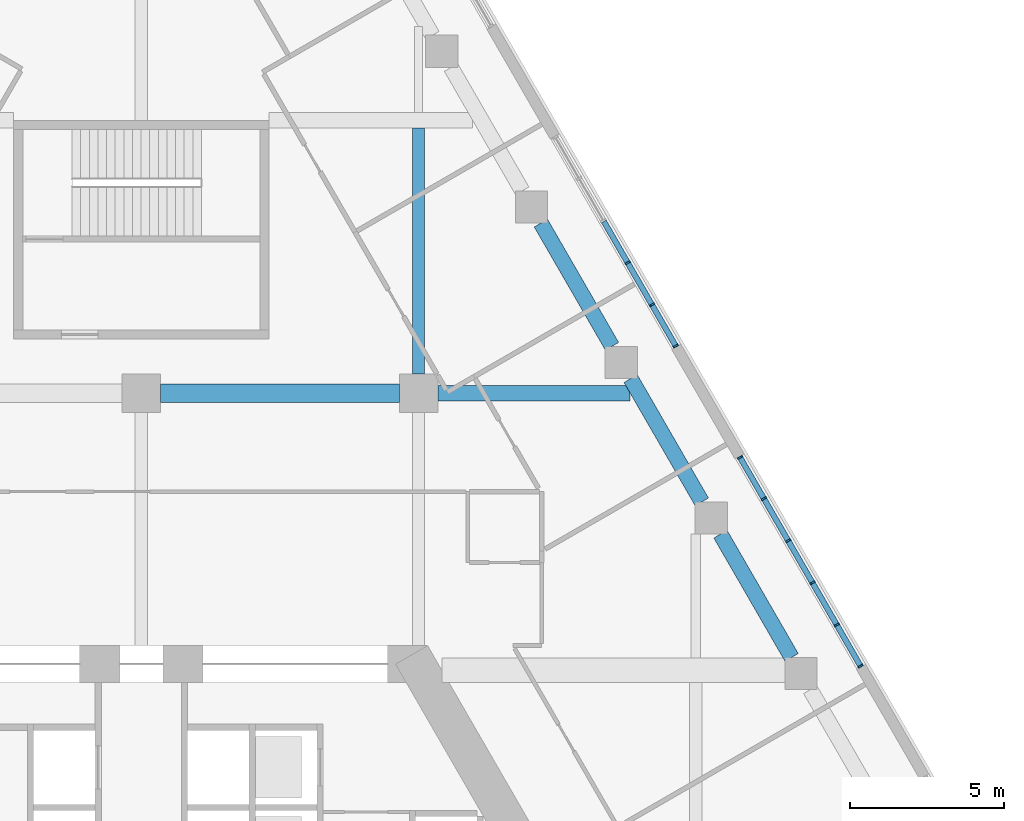
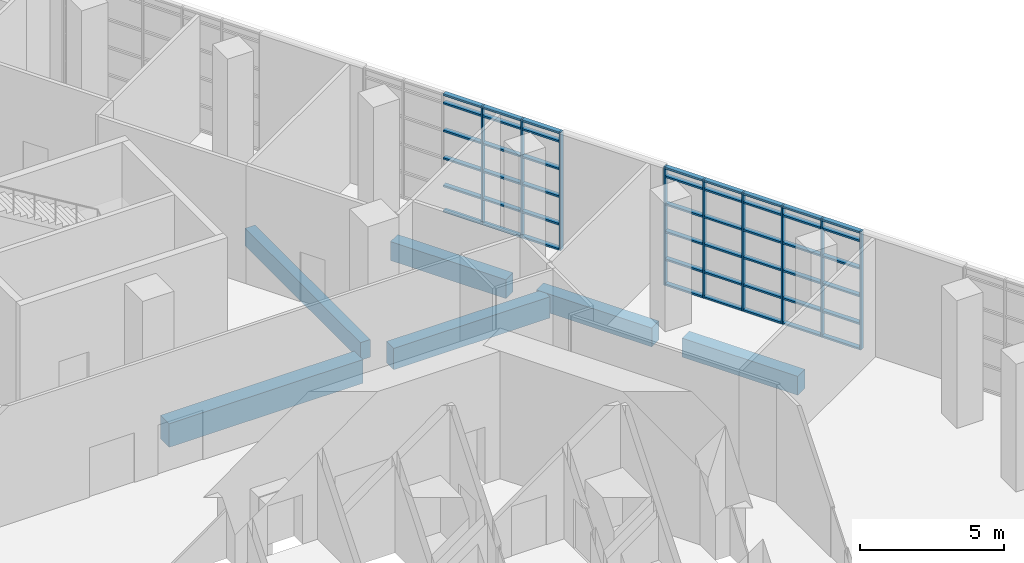
# One storey, part 5 of 18: 57 members, 6 beams, 2 elements without a shape of their own.
"""IFC4 building model written with IfcOpenShell, lengths in metres."""

from ifc_helpers import new_model, si_unit, direction, frame, origin, origin_2d, place, context, subcontext, project, spatial, rectangle, extrude, material, material_profile, profile_set, type_object, element, aggregate, save


model = new_model("IFC4")

# Units and contexts
model_context = context("Model", 3, precision=1e-05, world=origin(), true_north=direction((0.0, 1.0)))
body_context = subcontext(model_context, "Body", "Model", "MODEL_VIEW")
ifc_project = project(units=[si_unit("LENGTHUNIT", "METRE"), si_unit("AREAUNIT", "SQUARE_METRE"), si_unit("VOLUMEUNIT", "CUBIC_METRE"), si_unit("PLANEANGLEUNIT", "RADIAN"), si_unit("MASSUNIT", "GRAM", prefix="KILO")], contexts=[model_context])

# Site, building, storey
site_placement = place(None, origin())
site = spatial("IfcSite", under=ifc_project, at=site_placement, CompositionType="ELEMENT")
building_placement = place(site_placement, origin())
building = spatial("IfcBuilding", under=site, at=building_placement, Name="Fogline Exchange Tower", CompositionType="ELEMENT")
storey_placement = place(building_placement, frame((0.0, 0.0, 137.5)))
storey = spatial("IfcBuildingStorey", under=building, at=storey_placement, Name="L30", CompositionType="ELEMENT", Elevation=137.5)

# Beams
ifc_material_1 = material(Name="Concrete C40", Category="concrete")
ifc_material_profile_1 = material_profile(ifc_material_1, rectangle(XDim=0.5, YDim=0.89990234375, at=origin_2d()), Name="RC 500x900")
ifc_profile_set_1 = profile_set([ifc_material_profile_1], Name="Concrete C40")
beam_type_1 = type_object("IfcBeamType", Name="B02", PredefinedType="BEAM", material=ifc_profile_set_1)
beam_1_placement = place(storey_placement, frame((9.625, 27.0, -0.85009765625), z_axis=(1.0, 0.0, 0.0), x_axis=(0.0, 1.0, 0.0)))
element("IfcBeam", 1, at=beam_1_placement, inside=storey, type_object=beam_type_1, Name="GB008", PredefinedType="BEAM", context=body_context, shape_type="SweptSolid", body=[
    extrude(rectangle(XDim=0.5, YDim=0.89990234375, at=origin_2d()), origin(), (0.0, 0.0, 1.0), 6.246826171875),
])
ifc_material_profile_2 = material_profile(ifc_material_1, rectangle(XDim=0.60009765625, YDim=1.0, at=origin_2d()), Name="RC 600x1000")
ifc_profile_set_2 = profile_set([ifc_material_profile_2], Name="Concrete C40")
beam_type_2 = type_object("IfcBeamType", Name="B03", PredefinedType="BEAM", material=ifc_profile_set_2)
beam_2_placement = place(storey_placement, frame((0.625, 27.0, -0.89990234375), z_axis=(1.0, 0.0, 0.0), x_axis=(0.0, 1.0, 0.0)))
element("IfcBeam", 2, at=beam_2_placement, inside=storey, type_object=beam_type_2, Name="GB007", PredefinedType="BEAM", context=body_context, shape_type="SweptSolid", body=[
    extrude(rectangle(XDim=0.60009765625, YDim=1.0, at=origin_2d()), origin(), (0.0, 0.0, 1.0), 7.75),
])
ifc_material_profile_3 = material_profile(ifc_material_1, rectangle(XDim=0.39990234375, YDim=0.75, at=origin_2d()), Name="RC 400x750")
ifc_profile_set_3 = profile_set([ifc_material_profile_3], Name="Concrete C40")
beam_type_3 = type_object("IfcBeamType", Name="B05", PredefinedType="BEAM", material=ifc_profile_set_3)
beam_3_placement = place(storey_placement, frame((9.0, 27.625, -0.77490234375), z_axis=(0.0, 1.0, 0.0), x_axis=(-1.0, 0.0, 0.0)))
element("IfcBeam", 3, at=beam_3_placement, inside=storey, type_object=beam_type_3, Name="SB010", PredefinedType="BEAM", context=body_context, shape_type="SweptSolid", body=[
    extrude(rectangle(XDim=0.39990234375, YDim=0.75, at=origin_2d()), origin(), (0.0, 0.0, 1.0), 7.98193359375),
])
ifc_material_profile_4 = material_profile(ifc_material_1, rectangle(XDim=0.5, YDim=0.800048828125, at=origin_2d()), Name="RC 500x800")
ifc_profile_set_4 = profile_set([ifc_material_profile_4], Name="Concrete C40")
beam_type_4 = type_object("IfcBeamType", Name="B10", PredefinedType="BEAM", material=ifc_profile_set_4)
for number, where, z_axis, x_axis, name in (
    (4, (21.1142578125, 18.419921875, -0.800048828125), (-0.500004591975, 0.86602275259, 0.0), (-0.86602275259, -0.500004591975, 0.0), "RB011"),
    (5, (18.198486328125, 23.47021484375, -0.800048828125), (-0.500004591975, 0.86602275259, 0.0), (-0.86602275259, -0.500004591975, 0.0), "RB012"),
    (6, (15.28271484375, 28.5205078125, -0.800048828125), (-0.500004591975, 0.86602275259, 0.0), (-0.86602275259, -0.500004591975, 0.0), "RB013"),
):
    element("IfcBeam", number, at=place(storey_placement, frame(where, z_axis=z_axis, x_axis=x_axis)), inside=storey, type_object=beam_type_4, Name=name, PredefinedType="BEAM", context=body_context, shape_type="SweptSolid", body=[
        extrude(rectangle(XDim=0.5, YDim=0.800048828125, at=origin_2d()), origin(), (0.0, 0.0, 1.0), 4.619140625),
    ])

# Curtain wall, members
ifc_material_2 = material(Name="Aluminium and glass", Category="aluminium")
curtain_wall_type = type_object("IfcCurtainWallType", Name="CW4", PredefinedType="NOTDEFINED", material=ifc_material_2)
curtain_wall_1_placement = place(storey_placement, origin())
curtain_wall_1 = element("IfcCurtainWall", 7, at=curtain_wall_1_placement, inside=storey, type_object=curtain_wall_type, Name="CW4 L30 E run 2", PredefinedType="NOTDEFINED")
ifc_material_3 = material(Name="Aluminium", Category="aluminium")
ifc_material_profile_5 = material_profile(ifc_material_3, rectangle(XDim=0.179931640625, YDim=0.06005859375, at=origin_2d()), Name="Mullion 60x180")
ifc_profile_set_5 = profile_set([ifc_material_profile_5], Name="Aluminium")
member_type_1 = type_object("IfcMemberType", Name="CW4-M", PredefinedType="MULLION", material=ifc_profile_set_5)
member_1_placement = place(storey_placement, frame((23.353515625, 18.136474609375, 0.0), z_axis=(0.0, 0.0, 1.0), x_axis=(-0.866025393993, -0.500000016959, 0.0)))
member_1 = element("IfcMember", 8, at=member_1_placement, type_object=member_type_1, Name="CW4-T09-05 mullion 1", PredefinedType="MULLION", context=body_context, shape_type="SweptSolid", body=[
    extrude(rectangle(XDim=0.179931640625, YDim=0.06005859375, at=origin_2d()), origin(), (0.0, 0.0, 1.0), 5.0),
])
member_2_placement = place(storey_placement, frame((22.579833984375, 19.476318359375, 0.0), z_axis=(0.0, 0.0, 1.0), x_axis=(-0.866025393993, -0.500000016959, 0.0)))
member_2 = element("IfcMember", 9, at=member_2_placement, type_object=member_type_1, Name="CW4-T09-05 mullion 2", PredefinedType="MULLION", context=body_context, shape_type="SweptSolid", body=[
    extrude(rectangle(XDim=0.179931640625, YDim=0.06005859375, at=origin_2d()), origin(), (0.0, 0.0, 1.0), 5.0),
])
member_3_placement = place(storey_placement, frame((21.79150390625, 20.842041015625, 0.0), z_axis=(0.0, 0.0, 1.0), x_axis=(-0.866025393993, -0.500000016959, 0.0)))
member_3 = element("IfcMember", 10, at=member_3_placement, type_object=member_type_1, Name="CW4-T09-05 mullion 3", PredefinedType="MULLION", context=body_context, shape_type="SweptSolid", body=[
    extrude(rectangle(XDim=0.179931640625, YDim=0.06005859375, at=origin_2d()), origin(), (0.0, 0.0, 1.0), 5.0),
])
member_4_placement = place(storey_placement, frame((21.0029296875, 22.207763671875, 0.0), z_axis=(0.0, 0.0, 1.0), x_axis=(-0.866025393993, -0.500000016959, 0.0)))
member_4 = element("IfcMember", 11, at=member_4_placement, type_object=member_type_1, Name="CW4-T09-05 mullion 4", PredefinedType="MULLION", context=body_context, shape_type="SweptSolid", body=[
    extrude(rectangle(XDim=0.179931640625, YDim=0.06005859375, at=origin_2d()), origin(), (0.0, 0.0, 1.0), 5.0),
])
member_5_placement = place(storey_placement, frame((20.21435546875, 23.573486328125, 0.0), z_axis=(0.0, 0.0, 1.0), x_axis=(-0.866025393993, -0.500000016959, 0.0)))
member_5 = element("IfcMember", 12, at=member_5_placement, type_object=member_type_1, Name="CW4-T09-05 mullion 5", PredefinedType="MULLION", context=body_context, shape_type="SweptSolid", body=[
    extrude(rectangle(XDim=0.179931640625, YDim=0.06005859375, at=origin_2d()), origin(), (0.0, 0.0, 1.0), 5.0),
])
member_6_placement = place(storey_placement, frame((19.44091796875, 24.9130859375, 0.0), z_axis=(0.0, 0.0, 1.0), x_axis=(-0.866025393993, -0.500000016959, 0.0)))
member_6 = element("IfcMember", 13, at=member_6_placement, type_object=member_type_1, Name="CW4-T09-05 mullion 6", PredefinedType="MULLION", context=body_context, shape_type="SweptSolid", body=[
    extrude(rectangle(XDim=0.179931640625, YDim=0.06005859375, at=origin_2d()), origin(), (0.0, 0.0, 1.0), 5.0),
])

curtain_wall_2_placement = place(storey_placement, origin())
curtain_wall_2 = element("IfcCurtainWall", 14, at=curtain_wall_2_placement, inside=storey, type_object=curtain_wall_type, Name="CW4 L30 E run 3", PredefinedType="NOTDEFINED")
member_7_placement = place(storey_placement, frame((17.353515625, 28.52880859375, 0.0), z_axis=(0.0, 0.0, 1.0), x_axis=(-0.866025393993, -0.500000016959, 0.0)))
member_7 = element("IfcMember", 15, at=member_7_placement, type_object=member_type_1, Name="CW4-T09-06 mullion 1", PredefinedType="MULLION", context=body_context, shape_type="SweptSolid", body=[
    extrude(rectangle(XDim=0.179931640625, YDim=0.06005859375, at=origin_2d()), origin(), (0.0, 0.0, 1.0), 5.0),
])
member_8_placement = place(storey_placement, frame((16.579833984375, 29.86865234375, 0.0), z_axis=(0.0, 0.0, 1.0), x_axis=(-0.866025393993, -0.500000016959, 0.0)))
member_8 = element("IfcMember", 16, at=member_8_placement, type_object=member_type_1, Name="CW4-T09-06 mullion 2", PredefinedType="MULLION", context=body_context, shape_type="SweptSolid", body=[
    extrude(rectangle(XDim=0.179931640625, YDim=0.06005859375, at=origin_2d()), origin(), (0.0, 0.0, 1.0), 5.0),
])
member_9_placement = place(storey_placement, frame((15.79150390625, 31.234375, 0.0), z_axis=(0.0, 0.0, 1.0), x_axis=(-0.866025393993, -0.500000016959, 0.0)))
member_9 = element("IfcMember", 17, at=member_9_placement, type_object=member_type_1, Name="CW4-T09-06 mullion 3", PredefinedType="MULLION", context=body_context, shape_type="SweptSolid", body=[
    extrude(rectangle(XDim=0.179931640625, YDim=0.06005859375, at=origin_2d()), origin(), (0.0, 0.0, 1.0), 5.0),
])

# Member
ifc_material_profile_6 = material_profile(ifc_material_3, rectangle(XDim=0.179931640625, YDim=0.074951171875, at=origin_2d()), Name="Transom 75x180")
ifc_profile_set_6 = profile_set([ifc_material_profile_6], Name="Aluminium")
member_type_2 = type_object("IfcMemberType", Name="CW4-T", PredefinedType="USERDEFINED", material=ifc_profile_set_6)
member_10_placement = place(storey_placement, frame((23.33837890625, 18.16259765625, 0.03759765625), z_axis=(-0.500006734102, 0.866021515814, 0.0), x_axis=(-0.866021515814, -0.500006734102, 0.0)))
member_10 = element("IfcMember", 18, at=member_10_placement, type_object=member_type_2, Name="CW4-T09-05 transom 1.1", ObjectType="TRANSOM", PredefinedType="USERDEFINED", context=body_context, shape_type="SweptSolid", body=[
    extrude(rectangle(XDim=0.179931640625, YDim=0.074951171875, at=origin_2d()), origin(), (0.0, 0.0, 1.0), 1.48681640625),
])

member_11_placement = place(storey_placement, frame((23.33837890625, 18.16259765625, 1.10009765625), z_axis=(-0.500006734102, 0.866021515814, 0.0), x_axis=(-0.866021515814, -0.500006734102, 0.0)))
member_11 = element("IfcMember", 19, at=member_11_placement, type_object=member_type_2, Name="CW4-T09-05 transom 1.2", ObjectType="TRANSOM", PredefinedType="USERDEFINED", context=body_context, shape_type="SweptSolid", body=[
    extrude(rectangle(XDim=0.179931640625, YDim=0.074951171875, at=origin_2d()), origin(), (0.0, 0.0, 1.0), 1.48681640625),
])

member_12_placement = place(storey_placement, frame((23.33837890625, 18.16259765625, 2.2666015625), z_axis=(-0.500006734102, 0.866021515814, 0.0), x_axis=(-0.866021515814, -0.500006734102, 0.0)))
member_12 = element("IfcMember", 20, at=member_12_placement, type_object=member_type_2, Name="CW4-T09-05 transom 1.3", ObjectType="TRANSOM", PredefinedType="USERDEFINED", context=body_context, shape_type="SweptSolid", body=[
    extrude(rectangle(XDim=0.179931640625, YDim=0.074951171875, at=origin_2d()), origin(), (0.0, 0.0, 1.0), 1.48681640625),
])

member_13_placement = place(storey_placement, frame((23.33837890625, 18.16259765625, 3.433349609375), z_axis=(-0.500006734102, 0.866021515814, 0.0), x_axis=(-0.866021515814, -0.500006734102, 0.0)))
member_13 = element("IfcMember", 21, at=member_13_placement, type_object=member_type_2, Name="CW4-T09-05 transom 1.4", ObjectType="TRANSOM", PredefinedType="USERDEFINED", context=body_context, shape_type="SweptSolid", body=[
    extrude(rectangle(XDim=0.179931640625, YDim=0.074951171875, at=origin_2d()), origin(), (0.0, 0.0, 1.0), 1.48681640625),
])

member_14_placement = place(storey_placement, frame((23.33837890625, 18.16259765625, 4.60009765625), z_axis=(-0.500006734102, 0.866021515814, 0.0), x_axis=(-0.866021515814, -0.500006734102, 0.0)))
member_14 = element("IfcMember", 22, at=member_14_placement, type_object=member_type_2, Name="CW4-T09-05 transom 1.5", ObjectType="TRANSOM", PredefinedType="USERDEFINED", context=body_context, shape_type="SweptSolid", body=[
    extrude(rectangle(XDim=0.179931640625, YDim=0.074951171875, at=origin_2d()), origin(), (0.0, 0.0, 1.0), 1.48681640625),
])

member_15_placement = place(storey_placement, frame((23.33837890625, 18.16259765625, 4.96240234375), z_axis=(-0.500006734102, 0.866021515814, 0.0), x_axis=(-0.866021515814, -0.500006734102, 0.0)))
member_15 = element("IfcMember", 23, at=member_15_placement, type_object=member_type_2, Name="CW4-T09-05 transom 1.6", ObjectType="TRANSOM", PredefinedType="USERDEFINED", context=body_context, shape_type="SweptSolid", body=[
    extrude(rectangle(XDim=0.179931640625, YDim=0.074951171875, at=origin_2d()), origin(), (0.0, 0.0, 1.0), 1.48681640625),
])

member_16_placement = place(storey_placement, frame((22.56494140625, 19.502197265625, 0.03759765625), z_axis=(-0.500033579465, 0.866006015803, 0.0), x_axis=(-0.866006015803, -0.500033579465, 0.0)))
member_16 = element("IfcMember", 24, at=member_16_placement, type_object=member_type_2, Name="CW4-T09-05 transom 2.1", ObjectType="TRANSOM", PredefinedType="USERDEFINED", context=body_context, shape_type="SweptSolid", body=[
    extrude(rectangle(XDim=0.179931640625, YDim=0.074951171875, at=origin_2d()), origin(), (0.0, 0.0, 1.0), 1.51708984375),
])

member_17_placement = place(storey_placement, frame((22.56494140625, 19.502197265625, 1.10009765625), z_axis=(-0.500033579465, 0.866006015803, 0.0), x_axis=(-0.866006015803, -0.500033579465, 0.0)))
member_17 = element("IfcMember", 25, at=member_17_placement, type_object=member_type_2, Name="CW4-T09-05 transom 2.2", ObjectType="TRANSOM", PredefinedType="USERDEFINED", context=body_context, shape_type="SweptSolid", body=[
    extrude(rectangle(XDim=0.179931640625, YDim=0.074951171875, at=origin_2d()), origin(), (0.0, 0.0, 1.0), 1.51708984375),
])

member_18_placement = place(storey_placement, frame((22.56494140625, 19.502197265625, 2.2666015625), z_axis=(-0.500033579465, 0.866006015803, 0.0), x_axis=(-0.866006015803, -0.500033579465, 0.0)))
member_18 = element("IfcMember", 26, at=member_18_placement, type_object=member_type_2, Name="CW4-T09-05 transom 2.3", ObjectType="TRANSOM", PredefinedType="USERDEFINED", context=body_context, shape_type="SweptSolid", body=[
    extrude(rectangle(XDim=0.179931640625, YDim=0.074951171875, at=origin_2d()), origin(), (0.0, 0.0, 1.0), 1.51708984375),
])

member_19_placement = place(storey_placement, frame((22.56494140625, 19.502197265625, 3.433349609375), z_axis=(-0.500033579465, 0.866006015803, 0.0), x_axis=(-0.866006015803, -0.500033579465, 0.0)))
member_19 = element("IfcMember", 27, at=member_19_placement, type_object=member_type_2, Name="CW4-T09-05 transom 2.4", ObjectType="TRANSOM", PredefinedType="USERDEFINED", context=body_context, shape_type="SweptSolid", body=[
    extrude(rectangle(XDim=0.179931640625, YDim=0.074951171875, at=origin_2d()), origin(), (0.0, 0.0, 1.0), 1.51708984375),
])

member_20_placement = place(storey_placement, frame((22.56494140625, 19.502197265625, 4.60009765625), z_axis=(-0.500033579465, 0.866006015803, 0.0), x_axis=(-0.866006015803, -0.500033579465, 0.0)))
member_20 = element("IfcMember", 28, at=member_20_placement, type_object=member_type_2, Name="CW4-T09-05 transom 2.5", ObjectType="TRANSOM", PredefinedType="USERDEFINED", context=body_context, shape_type="SweptSolid", body=[
    extrude(rectangle(XDim=0.179931640625, YDim=0.074951171875, at=origin_2d()), origin(), (0.0, 0.0, 1.0), 1.51708984375),
])

member_21_placement = place(storey_placement, frame((22.56494140625, 19.502197265625, 4.96240234375), z_axis=(-0.500033579465, 0.866006015803, 0.0), x_axis=(-0.866006015803, -0.500033579465, 0.0)))
member_21 = element("IfcMember", 29, at=member_21_placement, type_object=member_type_2, Name="CW4-T09-05 transom 2.6", ObjectType="TRANSOM", PredefinedType="USERDEFINED", context=body_context, shape_type="SweptSolid", body=[
    extrude(rectangle(XDim=0.179931640625, YDim=0.074951171875, at=origin_2d()), origin(), (0.0, 0.0, 1.0), 1.51708984375),
])

member_22_placement = place(storey_placement, frame((21.7763671875, 20.867919921875, 0.03759765625), z_axis=(-0.500033579465, 0.866006015803, 0.0), x_axis=(-0.866006015803, -0.500033579465, 0.0)))
member_22 = element("IfcMember", 30, at=member_22_placement, type_object=member_type_2, Name="CW4-T09-05 transom 3.1", ObjectType="TRANSOM", PredefinedType="USERDEFINED", context=body_context, shape_type="SweptSolid", body=[
    extrude(rectangle(XDim=0.179931640625, YDim=0.074951171875, at=origin_2d()), origin(), (0.0, 0.0, 1.0), 1.51708984375),
])

member_23_placement = place(storey_placement, frame((21.7763671875, 20.867919921875, 1.10009765625), z_axis=(-0.500033579465, 0.866006015803, 0.0), x_axis=(-0.866006015803, -0.500033579465, 0.0)))
member_23 = element("IfcMember", 31, at=member_23_placement, type_object=member_type_2, Name="CW4-T09-05 transom 3.2", ObjectType="TRANSOM", PredefinedType="USERDEFINED", context=body_context, shape_type="SweptSolid", body=[
    extrude(rectangle(XDim=0.179931640625, YDim=0.074951171875, at=origin_2d()), origin(), (0.0, 0.0, 1.0), 1.51708984375),
])

member_24_placement = place(storey_placement, frame((21.7763671875, 20.867919921875, 2.2666015625), z_axis=(-0.500033579465, 0.866006015803, 0.0), x_axis=(-0.866006015803, -0.500033579465, 0.0)))
member_24 = element("IfcMember", 32, at=member_24_placement, type_object=member_type_2, Name="CW4-T09-05 transom 3.3", ObjectType="TRANSOM", PredefinedType="USERDEFINED", context=body_context, shape_type="SweptSolid", body=[
    extrude(rectangle(XDim=0.179931640625, YDim=0.074951171875, at=origin_2d()), origin(), (0.0, 0.0, 1.0), 1.51708984375),
])

member_25_placement = place(storey_placement, frame((21.7763671875, 20.867919921875, 3.433349609375), z_axis=(-0.500033579465, 0.866006015803, 0.0), x_axis=(-0.866006015803, -0.500033579465, 0.0)))
member_25 = element("IfcMember", 33, at=member_25_placement, type_object=member_type_2, Name="CW4-T09-05 transom 3.4", ObjectType="TRANSOM", PredefinedType="USERDEFINED", context=body_context, shape_type="SweptSolid", body=[
    extrude(rectangle(XDim=0.179931640625, YDim=0.074951171875, at=origin_2d()), origin(), (0.0, 0.0, 1.0), 1.51708984375),
])

member_26_placement = place(storey_placement, frame((21.7763671875, 20.867919921875, 4.60009765625), z_axis=(-0.500033579465, 0.866006015803, 0.0), x_axis=(-0.866006015803, -0.500033579465, 0.0)))
member_26 = element("IfcMember", 34, at=member_26_placement, type_object=member_type_2, Name="CW4-T09-05 transom 3.5", ObjectType="TRANSOM", PredefinedType="USERDEFINED", context=body_context, shape_type="SweptSolid", body=[
    extrude(rectangle(XDim=0.179931640625, YDim=0.074951171875, at=origin_2d()), origin(), (0.0, 0.0, 1.0), 1.51708984375),
])

member_27_placement = place(storey_placement, frame((21.7763671875, 20.867919921875, 4.96240234375), z_axis=(-0.500033579465, 0.866006015803, 0.0), x_axis=(-0.866006015803, -0.500033579465, 0.0)))
member_27 = element("IfcMember", 35, at=member_27_placement, type_object=member_type_2, Name="CW4-T09-05 transom 3.6", ObjectType="TRANSOM", PredefinedType="USERDEFINED", context=body_context, shape_type="SweptSolid", body=[
    extrude(rectangle(XDim=0.179931640625, YDim=0.074951171875, at=origin_2d()), origin(), (0.0, 0.0, 1.0), 1.51708984375),
])

member_28_placement = place(storey_placement, frame((20.988037109375, 22.233642578125, 0.03759765625), z_axis=(-0.500033579465, 0.866006015803, 0.0), x_axis=(-0.866006015803, -0.500033579465, 0.0)))
member_28 = element("IfcMember", 36, at=member_28_placement, type_object=member_type_2, Name="CW4-T09-05 transom 4.1", ObjectType="TRANSOM", PredefinedType="USERDEFINED", context=body_context, shape_type="SweptSolid", body=[
    extrude(rectangle(XDim=0.179931640625, YDim=0.074951171875, at=origin_2d()), origin(), (0.0, 0.0, 1.0), 1.51708984375),
])

member_29_placement = place(storey_placement, frame((20.988037109375, 22.233642578125, 1.10009765625), z_axis=(-0.500033579465, 0.866006015803, 0.0), x_axis=(-0.866006015803, -0.500033579465, 0.0)))
member_29 = element("IfcMember", 37, at=member_29_placement, type_object=member_type_2, Name="CW4-T09-05 transom 4.2", ObjectType="TRANSOM", PredefinedType="USERDEFINED", context=body_context, shape_type="SweptSolid", body=[
    extrude(rectangle(XDim=0.179931640625, YDim=0.074951171875, at=origin_2d()), origin(), (0.0, 0.0, 1.0), 1.51708984375),
])

member_30_placement = place(storey_placement, frame((20.988037109375, 22.233642578125, 2.2666015625), z_axis=(-0.500033579465, 0.866006015803, 0.0), x_axis=(-0.866006015803, -0.500033579465, 0.0)))
member_30 = element("IfcMember", 38, at=member_30_placement, type_object=member_type_2, Name="CW4-T09-05 transom 4.3", ObjectType="TRANSOM", PredefinedType="USERDEFINED", context=body_context, shape_type="SweptSolid", body=[
    extrude(rectangle(XDim=0.179931640625, YDim=0.074951171875, at=origin_2d()), origin(), (0.0, 0.0, 1.0), 1.51708984375),
])

member_31_placement = place(storey_placement, frame((20.988037109375, 22.233642578125, 3.433349609375), z_axis=(-0.500033579465, 0.866006015803, 0.0), x_axis=(-0.866006015803, -0.500033579465, 0.0)))
member_31 = element("IfcMember", 39, at=member_31_placement, type_object=member_type_2, Name="CW4-T09-05 transom 4.4", ObjectType="TRANSOM", PredefinedType="USERDEFINED", context=body_context, shape_type="SweptSolid", body=[
    extrude(rectangle(XDim=0.179931640625, YDim=0.074951171875, at=origin_2d()), origin(), (0.0, 0.0, 1.0), 1.51708984375),
])

member_32_placement = place(storey_placement, frame((20.988037109375, 22.233642578125, 4.60009765625), z_axis=(-0.500033579465, 0.866006015803, 0.0), x_axis=(-0.866006015803, -0.500033579465, 0.0)))
member_32 = element("IfcMember", 40, at=member_32_placement, type_object=member_type_2, Name="CW4-T09-05 transom 4.5", ObjectType="TRANSOM", PredefinedType="USERDEFINED", context=body_context, shape_type="SweptSolid", body=[
    extrude(rectangle(XDim=0.179931640625, YDim=0.074951171875, at=origin_2d()), origin(), (0.0, 0.0, 1.0), 1.51708984375),
])

member_33_placement = place(storey_placement, frame((20.988037109375, 22.233642578125, 4.96240234375), z_axis=(-0.500033579465, 0.866006015803, 0.0), x_axis=(-0.866006015803, -0.500033579465, 0.0)))
member_33 = element("IfcMember", 41, at=member_33_placement, type_object=member_type_2, Name="CW4-T09-05 transom 4.6", ObjectType="TRANSOM", PredefinedType="USERDEFINED", context=body_context, shape_type="SweptSolid", body=[
    extrude(rectangle(XDim=0.179931640625, YDim=0.074951171875, at=origin_2d()), origin(), (0.0, 0.0, 1.0), 1.51708984375),
])

member_34_placement = place(storey_placement, frame((20.199462890625, 23.599365234375, 0.03759765625), z_axis=(-0.500058770943, 0.865991469706, 0.0), x_axis=(-0.865991469706, -0.500058770943, 0.0)))
member_34 = element("IfcMember", 42, at=member_34_placement, type_object=member_type_2, Name="CW4-T09-05 transom 5.1", ObjectType="TRANSOM", PredefinedType="USERDEFINED", context=body_context, shape_type="SweptSolid", body=[
    extrude(rectangle(XDim=0.179931640625, YDim=0.074951171875, at=origin_2d()), origin(), (0.0, 0.0, 1.0), 1.487060546875),
])

member_35_placement = place(storey_placement, frame((20.199462890625, 23.599365234375, 1.10009765625), z_axis=(-0.500058770943, 0.865991469706, 0.0), x_axis=(-0.865991469706, -0.500058770943, 0.0)))
member_35 = element("IfcMember", 43, at=member_35_placement, type_object=member_type_2, Name="CW4-T09-05 transom 5.2", ObjectType="TRANSOM", PredefinedType="USERDEFINED", context=body_context, shape_type="SweptSolid", body=[
    extrude(rectangle(XDim=0.179931640625, YDim=0.074951171875, at=origin_2d()), origin(), (0.0, 0.0, 1.0), 1.487060546875),
])

member_36_placement = place(storey_placement, frame((20.199462890625, 23.599365234375, 2.2666015625), z_axis=(-0.500058770943, 0.865991469706, 0.0), x_axis=(-0.865991469706, -0.500058770943, 0.0)))
member_36 = element("IfcMember", 44, at=member_36_placement, type_object=member_type_2, Name="CW4-T09-05 transom 5.3", ObjectType="TRANSOM", PredefinedType="USERDEFINED", context=body_context, shape_type="SweptSolid", body=[
    extrude(rectangle(XDim=0.179931640625, YDim=0.074951171875, at=origin_2d()), origin(), (0.0, 0.0, 1.0), 1.487060546875),
])

member_37_placement = place(storey_placement, frame((20.199462890625, 23.599365234375, 3.433349609375), z_axis=(-0.500058770943, 0.865991469706, 0.0), x_axis=(-0.865991469706, -0.500058770943, 0.0)))
member_37 = element("IfcMember", 45, at=member_37_placement, type_object=member_type_2, Name="CW4-T09-05 transom 5.4", ObjectType="TRANSOM", PredefinedType="USERDEFINED", context=body_context, shape_type="SweptSolid", body=[
    extrude(rectangle(XDim=0.179931640625, YDim=0.074951171875, at=origin_2d()), origin(), (0.0, 0.0, 1.0), 1.487060546875),
])

member_38_placement = place(storey_placement, frame((20.199462890625, 23.599365234375, 4.60009765625), z_axis=(-0.500058770943, 0.865991469706, 0.0), x_axis=(-0.865991469706, -0.500058770943, 0.0)))
member_38 = element("IfcMember", 46, at=member_38_placement, type_object=member_type_2, Name="CW4-T09-05 transom 5.5", ObjectType="TRANSOM", PredefinedType="USERDEFINED", context=body_context, shape_type="SweptSolid", body=[
    extrude(rectangle(XDim=0.179931640625, YDim=0.074951171875, at=origin_2d()), origin(), (0.0, 0.0, 1.0), 1.487060546875),
])

member_39_placement = place(storey_placement, frame((20.199462890625, 23.599365234375, 4.96240234375), z_axis=(-0.500058770943, 0.865991469706, 0.0), x_axis=(-0.865991469706, -0.500058770943, 0.0)))
member_39 = element("IfcMember", 47, at=member_39_placement, type_object=member_type_2, Name="CW4-T09-05 transom 5.6", ObjectType="TRANSOM", PredefinedType="USERDEFINED", context=body_context, shape_type="SweptSolid", body=[
    extrude(rectangle(XDim=0.179931640625, YDim=0.074951171875, at=origin_2d()), origin(), (0.0, 0.0, 1.0), 1.487060546875),
])

aggregate(curtain_wall_1, [member_1, member_2, member_3, member_4, member_5, member_6, member_10, member_11, member_12, member_13, member_14, member_15, member_16, member_17, member_18, member_19, member_20, member_21, member_22, member_23, member_24, member_25, member_26, member_27, member_28, member_29, member_30, member_31, member_32, member_33, member_34, member_35, member_36, member_37, member_38, member_39])

member_40_placement = place(storey_placement, frame((17.33837890625, 28.554931640625, 0.03759765625), z_axis=(-0.500006734102, 0.866021515814, 0.0), x_axis=(-0.866021515814, -0.500006734102, 0.0)))
member_40 = element("IfcMember", 48, at=member_40_placement, type_object=member_type_2, Name="CW4-T09-06 transom 1.1", ObjectType="TRANSOM", PredefinedType="USERDEFINED", context=body_context, shape_type="SweptSolid", body=[
    extrude(rectangle(XDim=0.179931640625, YDim=0.074951171875, at=origin_2d()), origin(), (0.0, 0.0, 1.0), 1.48681640625),
])

member_41_placement = place(storey_placement, frame((17.33837890625, 28.554931640625, 1.10009765625), z_axis=(-0.500006734102, 0.866021515814, 0.0), x_axis=(-0.866021515814, -0.500006734102, 0.0)))
member_41 = element("IfcMember", 49, at=member_41_placement, type_object=member_type_2, Name="CW4-T09-06 transom 1.2", ObjectType="TRANSOM", PredefinedType="USERDEFINED", context=body_context, shape_type="SweptSolid", body=[
    extrude(rectangle(XDim=0.179931640625, YDim=0.074951171875, at=origin_2d()), origin(), (0.0, 0.0, 1.0), 1.48681640625),
])

member_42_placement = place(storey_placement, frame((17.33837890625, 28.554931640625, 2.2666015625), z_axis=(-0.500006734102, 0.866021515814, 0.0), x_axis=(-0.866021515814, -0.500006734102, 0.0)))
member_42 = element("IfcMember", 50, at=member_42_placement, type_object=member_type_2, Name="CW4-T09-06 transom 1.3", ObjectType="TRANSOM", PredefinedType="USERDEFINED", context=body_context, shape_type="SweptSolid", body=[
    extrude(rectangle(XDim=0.179931640625, YDim=0.074951171875, at=origin_2d()), origin(), (0.0, 0.0, 1.0), 1.48681640625),
])

member_43_placement = place(storey_placement, frame((17.33837890625, 28.554931640625, 3.433349609375), z_axis=(-0.500006734102, 0.866021515814, 0.0), x_axis=(-0.866021515814, -0.500006734102, 0.0)))
member_43 = element("IfcMember", 51, at=member_43_placement, type_object=member_type_2, Name="CW4-T09-06 transom 1.4", ObjectType="TRANSOM", PredefinedType="USERDEFINED", context=body_context, shape_type="SweptSolid", body=[
    extrude(rectangle(XDim=0.179931640625, YDim=0.074951171875, at=origin_2d()), origin(), (0.0, 0.0, 1.0), 1.48681640625),
])

member_44_placement = place(storey_placement, frame((17.33837890625, 28.554931640625, 4.60009765625), z_axis=(-0.500006734102, 0.866021515814, 0.0), x_axis=(-0.866021515814, -0.500006734102, 0.0)))
member_44 = element("IfcMember", 52, at=member_44_placement, type_object=member_type_2, Name="CW4-T09-06 transom 1.5", ObjectType="TRANSOM", PredefinedType="USERDEFINED", context=body_context, shape_type="SweptSolid", body=[
    extrude(rectangle(XDim=0.179931640625, YDim=0.074951171875, at=origin_2d()), origin(), (0.0, 0.0, 1.0), 1.48681640625),
])

member_45_placement = place(storey_placement, frame((17.33837890625, 28.554931640625, 4.96240234375), z_axis=(-0.500006734102, 0.866021515814, 0.0), x_axis=(-0.866021515814, -0.500006734102, 0.0)))
member_45 = element("IfcMember", 53, at=member_45_placement, type_object=member_type_2, Name="CW4-T09-06 transom 1.6", ObjectType="TRANSOM", PredefinedType="USERDEFINED", context=body_context, shape_type="SweptSolid", body=[
    extrude(rectangle(XDim=0.179931640625, YDim=0.074951171875, at=origin_2d()), origin(), (0.0, 0.0, 1.0), 1.48681640625),
])

member_46_placement = place(storey_placement, frame((16.56494140625, 29.89453125, 0.03759765625), z_axis=(-0.500033579465, 0.866006015803, 0.0), x_axis=(-0.866006015803, -0.500033579465, 0.0)))
member_46 = element("IfcMember", 54, at=member_46_placement, type_object=member_type_2, Name="CW4-T09-06 transom 2.1", ObjectType="TRANSOM", PredefinedType="USERDEFINED", context=body_context, shape_type="SweptSolid", body=[
    extrude(rectangle(XDim=0.179931640625, YDim=0.074951171875, at=origin_2d()), origin(), (0.0, 0.0, 1.0), 1.51708984375),
])

member_47_placement = place(storey_placement, frame((16.56494140625, 29.89453125, 1.10009765625), z_axis=(-0.500033579465, 0.866006015803, 0.0), x_axis=(-0.866006015803, -0.500033579465, 0.0)))
member_47 = element("IfcMember", 55, at=member_47_placement, type_object=member_type_2, Name="CW4-T09-06 transom 2.2", ObjectType="TRANSOM", PredefinedType="USERDEFINED", context=body_context, shape_type="SweptSolid", body=[
    extrude(rectangle(XDim=0.179931640625, YDim=0.074951171875, at=origin_2d()), origin(), (0.0, 0.0, 1.0), 1.51708984375),
])

member_48_placement = place(storey_placement, frame((16.56494140625, 29.89453125, 2.2666015625), z_axis=(-0.500033579465, 0.866006015803, 0.0), x_axis=(-0.866006015803, -0.500033579465, 0.0)))
member_48 = element("IfcMember", 56, at=member_48_placement, type_object=member_type_2, Name="CW4-T09-06 transom 2.3", ObjectType="TRANSOM", PredefinedType="USERDEFINED", context=body_context, shape_type="SweptSolid", body=[
    extrude(rectangle(XDim=0.179931640625, YDim=0.074951171875, at=origin_2d()), origin(), (0.0, 0.0, 1.0), 1.51708984375),
])

member_49_placement = place(storey_placement, frame((16.56494140625, 29.89453125, 3.433349609375), z_axis=(-0.500033579465, 0.866006015803, 0.0), x_axis=(-0.866006015803, -0.500033579465, 0.0)))
member_49 = element("IfcMember", 57, at=member_49_placement, type_object=member_type_2, Name="CW4-T09-06 transom 2.4", ObjectType="TRANSOM", PredefinedType="USERDEFINED", context=body_context, shape_type="SweptSolid", body=[
    extrude(rectangle(XDim=0.179931640625, YDim=0.074951171875, at=origin_2d()), origin(), (0.0, 0.0, 1.0), 1.51708984375),
])

member_50_placement = place(storey_placement, frame((16.56494140625, 29.89453125, 4.60009765625), z_axis=(-0.500033579465, 0.866006015803, 0.0), x_axis=(-0.866006015803, -0.500033579465, 0.0)))
member_50 = element("IfcMember", 58, at=member_50_placement, type_object=member_type_2, Name="CW4-T09-06 transom 2.5", ObjectType="TRANSOM", PredefinedType="USERDEFINED", context=body_context, shape_type="SweptSolid", body=[
    extrude(rectangle(XDim=0.179931640625, YDim=0.074951171875, at=origin_2d()), origin(), (0.0, 0.0, 1.0), 1.51708984375),
])

member_51_placement = place(storey_placement, frame((16.56494140625, 29.89453125, 4.96240234375), z_axis=(-0.500033579465, 0.866006015803, 0.0), x_axis=(-0.866006015803, -0.500033579465, 0.0)))
member_51 = element("IfcMember", 59, at=member_51_placement, type_object=member_type_2, Name="CW4-T09-06 transom 2.6", ObjectType="TRANSOM", PredefinedType="USERDEFINED", context=body_context, shape_type="SweptSolid", body=[
    extrude(rectangle(XDim=0.179931640625, YDim=0.074951171875, at=origin_2d()), origin(), (0.0, 0.0, 1.0), 1.51708984375),
])

member_52_placement = place(storey_placement, frame((15.7763671875, 31.26025390625, 0.03759765625), z_axis=(-0.500033579465, 0.866006015803, 0.0), x_axis=(-0.866006015803, -0.500033579465, 0.0)))
member_52 = element("IfcMember", 60, at=member_52_placement, type_object=member_type_2, Name="CW4-T09-06 transom 3.1", ObjectType="TRANSOM", PredefinedType="USERDEFINED", context=body_context, shape_type="SweptSolid", body=[
    extrude(rectangle(XDim=0.179931640625, YDim=0.074951171875, at=origin_2d()), origin(), (0.0, 0.0, 1.0), 1.51708984375),
])

member_53_placement = place(storey_placement, frame((15.7763671875, 31.26025390625, 1.10009765625), z_axis=(-0.500033579465, 0.866006015803, 0.0), x_axis=(-0.866006015803, -0.500033579465, 0.0)))
member_53 = element("IfcMember", 61, at=member_53_placement, type_object=member_type_2, Name="CW4-T09-06 transom 3.2", ObjectType="TRANSOM", PredefinedType="USERDEFINED", context=body_context, shape_type="SweptSolid", body=[
    extrude(rectangle(XDim=0.179931640625, YDim=0.074951171875, at=origin_2d()), origin(), (0.0, 0.0, 1.0), 1.51708984375),
])

member_54_placement = place(storey_placement, frame((15.7763671875, 31.26025390625, 2.2666015625), z_axis=(-0.500033579465, 0.866006015803, 0.0), x_axis=(-0.866006015803, -0.500033579465, 0.0)))
member_54 = element("IfcMember", 62, at=member_54_placement, type_object=member_type_2, Name="CW4-T09-06 transom 3.3", ObjectType="TRANSOM", PredefinedType="USERDEFINED", context=body_context, shape_type="SweptSolid", body=[
    extrude(rectangle(XDim=0.179931640625, YDim=0.074951171875, at=origin_2d()), origin(), (0.0, 0.0, 1.0), 1.51708984375),
])

member_55_placement = place(storey_placement, frame((15.7763671875, 31.26025390625, 3.433349609375), z_axis=(-0.500033579465, 0.866006015803, 0.0), x_axis=(-0.866006015803, -0.500033579465, 0.0)))
member_55 = element("IfcMember", 63, at=member_55_placement, type_object=member_type_2, Name="CW4-T09-06 transom 3.4", ObjectType="TRANSOM", PredefinedType="USERDEFINED", context=body_context, shape_type="SweptSolid", body=[
    extrude(rectangle(XDim=0.179931640625, YDim=0.074951171875, at=origin_2d()), origin(), (0.0, 0.0, 1.0), 1.51708984375),
])

member_56_placement = place(storey_placement, frame((15.7763671875, 31.26025390625, 4.60009765625), z_axis=(-0.500033579465, 0.866006015803, 0.0), x_axis=(-0.866006015803, -0.500033579465, 0.0)))
member_56 = element("IfcMember", 64, at=member_56_placement, type_object=member_type_2, Name="CW4-T09-06 transom 3.5", ObjectType="TRANSOM", PredefinedType="USERDEFINED", context=body_context, shape_type="SweptSolid", body=[
    extrude(rectangle(XDim=0.179931640625, YDim=0.074951171875, at=origin_2d()), origin(), (0.0, 0.0, 1.0), 1.51708984375),
])

member_57_placement = place(storey_placement, frame((15.7763671875, 31.26025390625, 4.96240234375), z_axis=(-0.500033579465, 0.866006015803, 0.0), x_axis=(-0.866006015803, -0.500033579465, 0.0)))
member_57 = element("IfcMember", 65, at=member_57_placement, type_object=member_type_2, Name="CW4-T09-06 transom 3.6", ObjectType="TRANSOM", PredefinedType="USERDEFINED", context=body_context, shape_type="SweptSolid", body=[
    extrude(rectangle(XDim=0.179931640625, YDim=0.074951171875, at=origin_2d()), origin(), (0.0, 0.0, 1.0), 1.51708984375),
])

aggregate(curtain_wall_2, [member_7, member_8, member_9, member_40, member_41, member_42, member_43, member_44, member_45, member_46, member_47, member_48, member_49, member_50, member_51, member_52, member_53, member_54, member_55, member_56, member_57])

save(model, "model.ifc")
